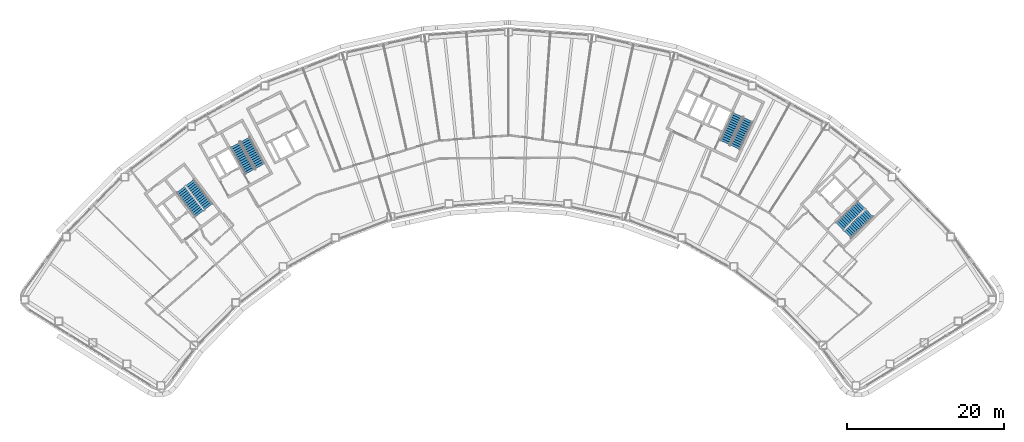
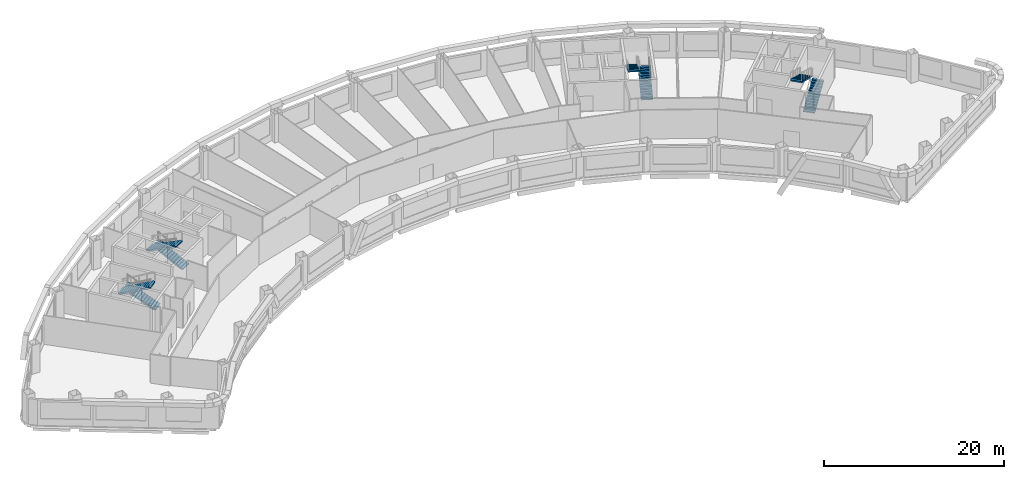
# One storey, part 9 of 11: 8 stair flights, 4 elements without a shape of their own.
"""IFC4 building model written with IfcOpenShell, lengths in metres."""

from ifc_helpers import new_model, si_unit, direction, frame, origin, place, context, subcontext, project, spatial, polyline, outline, extrude, material, type_object, element, aggregate, save


model = new_model("IFC4")

# Units and contexts
model_context = context("Model", 3, precision=1e-05, world=origin(), true_north=direction((0.0, 1.0)))
body_context = subcontext(model_context, "Body", "Model", "MODEL_VIEW")
ifc_project = project(units=[si_unit("LENGTHUNIT", "METRE"), si_unit("AREAUNIT", "SQUARE_METRE"), si_unit("VOLUMEUNIT", "CUBIC_METRE"), si_unit("PLANEANGLEUNIT", "RADIAN"), si_unit("MASSUNIT", "GRAM", prefix="KILO")], contexts=[model_context])

# Site, building, storey
site_placement = place(None, origin())
site = spatial("IfcSite", under=ifc_project, at=site_placement, CompositionType="ELEMENT")
building_placement = place(site_placement, origin())
building = spatial("IfcBuilding", under=site, at=building_placement, Name="Tuul Gate Civic Tower", CompositionType="ELEMENT")
storey_placement = place(building_placement, frame((0.0, 0.0, 142.39990234375)))
storey = spatial("IfcBuildingStorey", under=building, at=storey_placement, Name="Level 32", CompositionType="ELEMENT", Elevation=142.39990234375)

# Stair, stair flights
ifc_material_1 = material(Name="Concrete C40/50", Category="concrete")
stair_type = type_object("IfcStairType", Name="Exit stair", PredefinedType="HALF_TURN_STAIR", material=ifc_material_1)
stair_1_placement = place(storey_placement, origin())
stair_1 = element("IfcStair", 1, at=stair_1_placement, inside=storey, type_object=stair_type, Name="Level 32 ST-1", PredefinedType="HALF_TURN_STAIR")
ifc_material_2 = material(Name="Concrete C40/50", Category="concrete")
stair_flight_type = type_object("IfcStairFlightType", Name="Exit stair flight", PredefinedType="STRAIGHT", material=ifc_material_2)
stair_flight_1_placement = place(storey_placement, frame((-32.875244140625, -13.066650390625, 0.0), z_axis=(0.0, 0.0, 1.0), x_axis=(-0.605764474941, 0.795644016442, 0.0)))
stair_flight_1 = element("IfcStairFlight", 2, at=stair_flight_1_placement, type_object=stair_flight_type, Name="ST-1 flight 1", NumberOfRisers=14, NumberOfTreads=13, PredefinedType="STRAIGHT", RiserHeight=0.15, TreadLength=0.3, context=body_context, shape_type="SweptSolid", body=[
    extrude(outline(polyline([(0.0, 0.0), (0.0, 0.14990234375), (0.300048828125, 0.14990234375), (0.300048828125, 0.300048828125), (0.60009765625, 0.300048828125), (0.60009765625, 0.449951171875), (0.89990234375, 0.449951171875), (0.89990234375, 0.60009765625), (1.199951171875, 0.60009765625), (1.199951171875, 0.75), (1.5, 0.75), (1.5, 0.89990234375), (1.800048828125, 0.89990234375), (1.800048828125, 1.050048828125), (2.10009765625, 1.050048828125), (2.10009765625, 1.199951171875), (2.39990234375, 1.199951171875), (2.39990234375, 1.35009765625), (2.699951171875, 1.35009765625), (2.699951171875, 1.5), (3.0, 1.5), (3.0, 1.64990234375), (3.300048828125, 1.64990234375), (3.300048828125, 1.800048828125), (3.60009765625, 1.800048828125), (3.60009765625, 1.949951171875), (3.89990234375, 1.949951171875), (3.89990234375, 2.10009765625), (3.89990234375, 1.782470703125), (0.335205078125, 0.0), (0.0, 0.0)])), frame((0.0, 0.675048828125, 0.0), z_axis=(0.0, -1.0, 0.0), x_axis=(1.0, 0.0, 0.0)), (0.0, 0.0, 1.0), 1.35009765625),
])
stair_flight_2_placement = place(storey_placement, frame((-36.391357421875, -10.842041015625, 2.10009765625), z_axis=(0.0, 0.0, 1.0), x_axis=(0.605764474941, -0.795644016442, 0.0)))
stair_flight_2 = element("IfcStairFlight", 3, at=stair_flight_2_placement, type_object=stair_flight_type, Name="ST-1 flight 2", NumberOfRisers=14, NumberOfTreads=13, PredefinedType="STRAIGHT", RiserHeight=0.15, TreadLength=0.3, context=body_context, shape_type="SweptSolid", body=[
    extrude(outline(polyline([(0.0, 0.0), (0.0, 0.14990234375), (0.300048828125, 0.14990234375), (0.300048828125, 0.300048828125), (0.60009765625, 0.300048828125), (0.60009765625, 0.449951171875), (0.89990234375, 0.449951171875), (0.89990234375, 0.60009765625), (1.199951171875, 0.60009765625), (1.199951171875, 0.75), (1.5, 0.75), (1.5, 0.89990234375), (1.800048828125, 0.89990234375), (1.800048828125, 1.050048828125), (2.10009765625, 1.050048828125), (2.10009765625, 1.199951171875), (2.39990234375, 1.199951171875), (2.39990234375, 1.35009765625), (2.699951171875, 1.35009765625), (2.699951171875, 1.5), (3.0, 1.5), (3.0, 1.64990234375), (3.300048828125, 1.64990234375), (3.300048828125, 1.800048828125), (3.60009765625, 1.800048828125), (3.60009765625, 1.949951171875), (3.89990234375, 1.949951171875), (3.89990234375, 2.10009765625), (3.89990234375, 1.782470703125), (0.335205078125, 0.0), (0.0, 0.0)])), frame((0.0, 0.675048828125, 0.0), z_axis=(0.0, -1.0, 0.0), x_axis=(1.0, 0.0, 0.0)), (0.0, 0.0, 1.0), 1.35009765625),
])
aggregate(stair_1, [stair_flight_1, stair_flight_2])

stair_2_placement = place(storey_placement, origin())
stair_2 = element("IfcStair", 4, at=stair_2_placement, inside=storey, type_object=stair_type, Name="Level 32 ST-2", PredefinedType="HALF_TURN_STAIR")
stair_flight_3_placement = place(storey_placement, frame((-26.29150390625, -7.87646484375, 0.0), z_axis=(0.0, 0.0, 1.0), x_axis=(-0.484761763766, 0.874646232708, 0.0)))
stair_flight_3 = element("IfcStairFlight", 5, at=stair_flight_3_placement, type_object=stair_flight_type, Name="ST-2 flight 1", NumberOfRisers=14, NumberOfTreads=13, PredefinedType="STRAIGHT", RiserHeight=0.15, TreadLength=0.3, context=body_context, shape_type="SweptSolid", body=[
    extrude(outline(polyline([(0.0, 0.0), (0.0, 0.14990234375), (0.300048828125, 0.14990234375), (0.300048828125, 0.300048828125), (0.60009765625, 0.300048828125), (0.60009765625, 0.449951171875), (0.89990234375, 0.449951171875), (0.89990234375, 0.60009765625), (1.199951171875, 0.60009765625), (1.199951171875, 0.75), (1.5, 0.75), (1.5, 0.89990234375), (1.800048828125, 0.89990234375), (1.800048828125, 1.050048828125), (2.10009765625, 1.050048828125), (2.10009765625, 1.199951171875), (2.39990234375, 1.199951171875), (2.39990234375, 1.35009765625), (2.699951171875, 1.35009765625), (2.699951171875, 1.5), (3.0, 1.5), (3.0, 1.64990234375), (3.300048828125, 1.64990234375), (3.300048828125, 1.800048828125), (3.60009765625, 1.800048828125), (3.60009765625, 1.949951171875), (3.89990234375, 1.949951171875), (3.89990234375, 2.10009765625), (3.89990234375, 1.782470703125), (0.335205078125, 0.0), (0.0, 0.0)])), frame((0.0, 0.675048828125, 0.0), z_axis=(0.0, -1.0, 0.0), x_axis=(1.0, 0.0, 0.0)), (0.0, 0.0, 1.0), 1.35009765625),
])
stair_flight_4_placement = place(storey_placement, frame((-29.450439453125, -5.168212890625, 2.10009765625), z_axis=(0.0, 0.0, 1.0), x_axis=(0.484761763766, -0.874646232708, 0.0)))
stair_flight_4 = element("IfcStairFlight", 6, at=stair_flight_4_placement, type_object=stair_flight_type, Name="ST-2 flight 2", NumberOfRisers=14, NumberOfTreads=13, PredefinedType="STRAIGHT", RiserHeight=0.15, TreadLength=0.3, context=body_context, shape_type="SweptSolid", body=[
    extrude(outline(polyline([(0.0, 0.0), (0.0, 0.14990234375), (0.300048828125, 0.14990234375), (0.300048828125, 0.300048828125), (0.60009765625, 0.300048828125), (0.60009765625, 0.449951171875), (0.89990234375, 0.449951171875), (0.89990234375, 0.60009765625), (1.199951171875, 0.60009765625), (1.199951171875, 0.75), (1.5, 0.75), (1.5, 0.89990234375), (1.800048828125, 0.89990234375), (1.800048828125, 1.050048828125), (2.10009765625, 1.050048828125), (2.10009765625, 1.199951171875), (2.39990234375, 1.199951171875), (2.39990234375, 1.35009765625), (2.699951171875, 1.35009765625), (2.699951171875, 1.5), (3.0, 1.5), (3.0, 1.64990234375), (3.300048828125, 1.64990234375), (3.300048828125, 1.800048828125), (3.60009765625, 1.800048828125), (3.60009765625, 1.949951171875), (3.89990234375, 1.949951171875), (3.89990234375, 2.10009765625), (3.89990234375, 1.782470703125), (0.335205078125, 0.0), (0.0, 0.0)])), frame((0.0, 0.675048828125, 0.0), z_axis=(0.0, -1.0, 0.0), x_axis=(1.0, 0.0, 0.0)), (0.0, 0.0, 1.0), 1.35009765625),
])
aggregate(stair_2, [stair_flight_3, stair_flight_4])

stair_3_placement = place(storey_placement, origin())
stair_3 = element("IfcStair", 7, at=stair_3_placement, inside=storey, type_object=stair_type, Name="Level 32 ST-3", PredefinedType="HALF_TURN_STAIR")
stair_flight_5_placement = place(storey_placement, frame((48.61376953125, -16.581787109375, 0.0), z_axis=(0.0, 0.0, 1.0), x_axis=(0.714127290059, 0.700015866672, 0.0)))
stair_flight_5 = element("IfcStairFlight", 8, at=stair_flight_5_placement, type_object=stair_flight_type, Name="ST-3 flight 1", NumberOfRisers=14, NumberOfTreads=13, PredefinedType="STRAIGHT", RiserHeight=0.15, TreadLength=0.3, context=body_context, shape_type="SweptSolid", body=[
    extrude(outline(polyline([(0.0, 0.0), (0.0, 0.14990234375), (0.300048828125, 0.14990234375), (0.300048828125, 0.300048828125), (0.60009765625, 0.300048828125), (0.60009765625, 0.449951171875), (0.89990234375, 0.449951171875), (0.89990234375, 0.60009765625), (1.199951171875, 0.60009765625), (1.199951171875, 0.75), (1.5, 0.75), (1.5, 0.89990234375), (1.800048828125, 0.89990234375), (1.800048828125, 1.050048828125), (2.10009765625, 1.050048828125), (2.10009765625, 1.199951171875), (2.39990234375, 1.199951171875), (2.39990234375, 1.35009765625), (2.699951171875, 1.35009765625), (2.699951171875, 1.5), (3.0, 1.5), (3.0, 1.64990234375), (3.300048828125, 1.64990234375), (3.300048828125, 1.800048828125), (3.60009765625, 1.800048828125), (3.60009765625, 1.949951171875), (3.89990234375, 1.949951171875), (3.89990234375, 2.10009765625), (3.89990234375, 1.782470703125), (0.335205078125, 0.0), (0.0, 0.0)])), frame((0.0, 0.675048828125, 0.0), z_axis=(0.0, -1.0, 0.0), x_axis=(1.0, 0.0, 0.0)), (0.0, 0.0, 1.0), 1.35009765625),
])
stair_flight_6_placement = place(storey_placement, frame((50.3837890625, -12.816162109375, 2.10009765625), z_axis=(0.0, 0.0, 1.0), x_axis=(-0.714127290059, -0.700015866672, 0.0)))
stair_flight_6 = element("IfcStairFlight", 9, at=stair_flight_6_placement, type_object=stair_flight_type, Name="ST-3 flight 2", NumberOfRisers=14, NumberOfTreads=13, PredefinedType="STRAIGHT", RiserHeight=0.15, TreadLength=0.3, context=body_context, shape_type="SweptSolid", body=[
    extrude(outline(polyline([(0.0, 0.0), (0.0, 0.14990234375), (0.300048828125, 0.14990234375), (0.300048828125, 0.300048828125), (0.60009765625, 0.300048828125), (0.60009765625, 0.449951171875), (0.89990234375, 0.449951171875), (0.89990234375, 0.60009765625), (1.199951171875, 0.60009765625), (1.199951171875, 0.75), (1.5, 0.75), (1.5, 0.89990234375), (1.800048828125, 0.89990234375), (1.800048828125, 1.050048828125), (2.10009765625, 1.050048828125), (2.10009765625, 1.199951171875), (2.39990234375, 1.199951171875), (2.39990234375, 1.35009765625), (2.699951171875, 1.35009765625), (2.699951171875, 1.5), (3.0, 1.5), (3.0, 1.64990234375), (3.300048828125, 1.64990234375), (3.300048828125, 1.800048828125), (3.60009765625, 1.800048828125), (3.60009765625, 1.949951171875), (3.89990234375, 1.949951171875), (3.89990234375, 2.10009765625), (3.89990234375, 1.782470703125), (0.335205078125, 0.0), (0.0, 0.0)])), frame((0.0, 0.675048828125, 0.0), z_axis=(0.0, -1.0, 0.0), x_axis=(1.0, 0.0, 0.0)), (0.0, 0.0, 1.0), 1.35009765625),
])
aggregate(stair_3, [stair_flight_5, stair_flight_6])

stair_4_placement = place(storey_placement, origin())
stair_4 = element("IfcStair", 10, at=stair_4_placement, inside=storey, type_object=stair_type, Name="Level 32 ST-4", PredefinedType="HALF_TURN_STAIR")
stair_flight_7_placement = place(storey_placement, frame((34.278564453125, -5.478515625, 0.0), z_axis=(0.0, 0.0, 1.0), x_axis=(0.422576295988, 0.906327354806, 0.0)))
stair_flight_7 = element("IfcStairFlight", 11, at=stair_flight_7_placement, type_object=stair_flight_type, Name="ST-4 flight 1", NumberOfRisers=14, NumberOfTreads=13, PredefinedType="STRAIGHT", RiserHeight=0.15, TreadLength=0.3, context=body_context, shape_type="SweptSolid", body=[
    extrude(outline(polyline([(0.0, 0.0), (0.0, 0.14990234375), (0.300048828125, 0.14990234375), (0.300048828125, 0.300048828125), (0.60009765625, 0.300048828125), (0.60009765625, 0.449951171875), (0.89990234375, 0.449951171875), (0.89990234375, 0.60009765625), (1.199951171875, 0.60009765625), (1.199951171875, 0.75), (1.5, 0.75), (1.5, 0.89990234375), (1.800048828125, 0.89990234375), (1.800048828125, 1.050048828125), (2.10009765625, 1.050048828125), (2.10009765625, 1.199951171875), (2.39990234375, 1.199951171875), (2.39990234375, 1.35009765625), (2.699951171875, 1.35009765625), (2.699951171875, 1.5), (3.0, 1.5), (3.0, 1.64990234375), (3.300048828125, 1.64990234375), (3.300048828125, 1.800048828125), (3.60009765625, 1.800048828125), (3.60009765625, 1.949951171875), (3.89990234375, 1.949951171875), (3.89990234375, 2.10009765625), (3.89990234375, 1.782470703125), (0.335205078125, 0.0), (0.0, 0.0)])), frame((0.0, 0.675048828125, 0.0), z_axis=(0.0, -1.0, 0.0), x_axis=(1.0, 0.0, 0.0)), (0.0, 0.0, 1.0), 1.35009765625),
])
stair_flight_8_placement = place(storey_placement, frame((34.612548828125, -1.3310546875, 2.10009765625), z_axis=(0.0, 0.0, 1.0), x_axis=(-0.422576295988, -0.906327354806, 0.0)))
stair_flight_8 = element("IfcStairFlight", 12, at=stair_flight_8_placement, type_object=stair_flight_type, Name="ST-4 flight 2", NumberOfRisers=14, NumberOfTreads=13, PredefinedType="STRAIGHT", RiserHeight=0.15, TreadLength=0.3, context=body_context, shape_type="SweptSolid", body=[
    extrude(outline(polyline([(0.0, 0.0), (0.0, 0.14990234375), (0.300048828125, 0.14990234375), (0.300048828125, 0.300048828125), (0.60009765625, 0.300048828125), (0.60009765625, 0.449951171875), (0.89990234375, 0.449951171875), (0.89990234375, 0.60009765625), (1.199951171875, 0.60009765625), (1.199951171875, 0.75), (1.5, 0.75), (1.5, 0.89990234375), (1.800048828125, 0.89990234375), (1.800048828125, 1.050048828125), (2.10009765625, 1.050048828125), (2.10009765625, 1.199951171875), (2.39990234375, 1.199951171875), (2.39990234375, 1.35009765625), (2.699951171875, 1.35009765625), (2.699951171875, 1.5), (3.0, 1.5), (3.0, 1.64990234375), (3.300048828125, 1.64990234375), (3.300048828125, 1.800048828125), (3.60009765625, 1.800048828125), (3.60009765625, 1.949951171875), (3.89990234375, 1.949951171875), (3.89990234375, 2.10009765625), (3.89990234375, 1.782470703125), (0.335205078125, 0.0), (0.0, 0.0)])), frame((0.0, 0.675048828125, 0.0), z_axis=(0.0, -1.0, 0.0), x_axis=(1.0, 0.0, 0.0)), (0.0, 0.0, 1.0), 1.35009765625),
])
aggregate(stair_4, [stair_flight_7, stair_flight_8])

save(model, "model.ifc")
